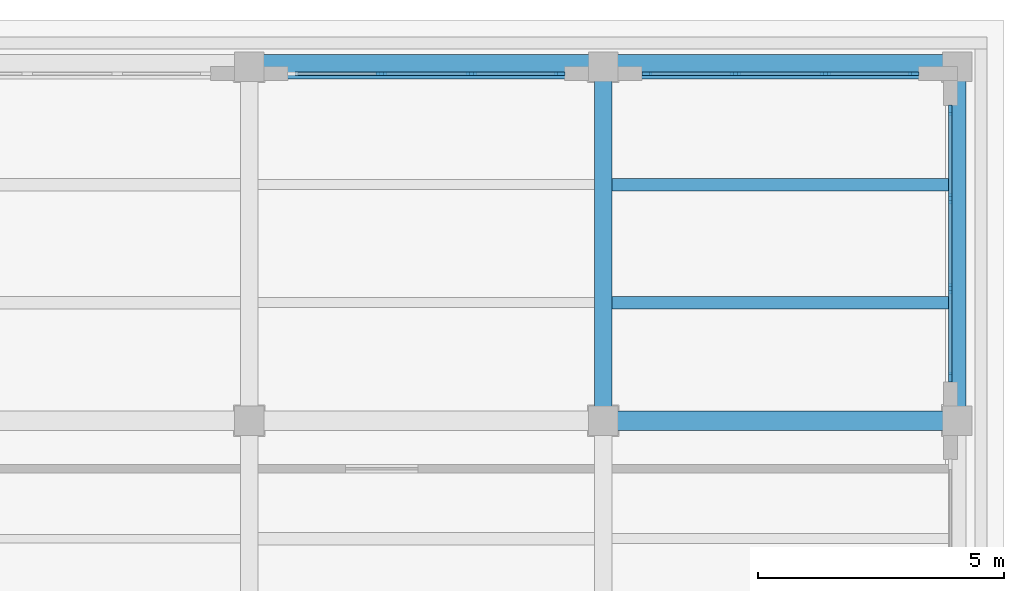
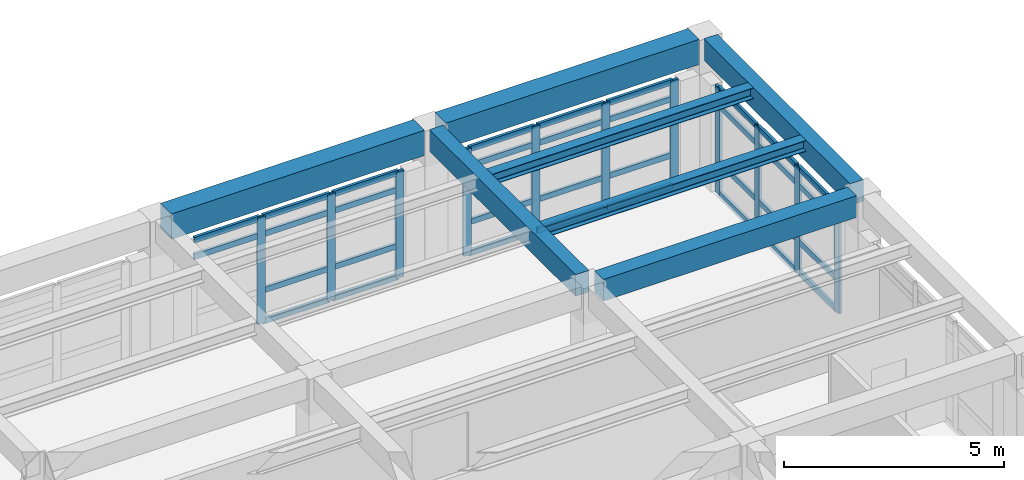
# One storey, part 10 of 19: 45 members, 7 beams, 3 elements without a shape of their own.
"""IFC4 building model written with IfcOpenShell, lengths in metres."""

from ifc_helpers import new_model, si_unit, direction, frame, origin, origin_2d, place, context, subcontext, project, spatial, rectangle, i_section, extrude, material, layer, layer_set, material_profile, profile_set, type_object, element, aggregate, save


model = new_model("IFC4")

# Units and contexts
model_context = context("Model", 3, precision=1e-05, world=origin(), true_north=direction((0.0, 1.0)))
body_context = subcontext(model_context, "Body", "Model", "MODEL_VIEW")
ifc_project = project(units=[si_unit("LENGTHUNIT", "METRE"), si_unit("AREAUNIT", "SQUARE_METRE"), si_unit("VOLUMEUNIT", "CUBIC_METRE"), si_unit("PLANEANGLEUNIT", "RADIAN"), si_unit("MASSUNIT", "GRAM", prefix="KILO")], contexts=[model_context])

# Site, building, storey
site_placement = place(None, origin())
site = spatial("IfcSite", under=ifc_project, at=site_placement, CompositionType="ELEMENT")
building_placement = place(site_placement, origin())
building = spatial("IfcBuilding", under=site, at=building_placement, Name="Solenvale Faculty of Natural Sciences", CompositionType="ELEMENT")
storey_placement = place(building_placement, frame((0.0, 0.0, 27.0)))
storey = spatial("IfcBuildingStorey", under=building, at=storey_placement, Name="L06", CompositionType="ELEMENT", Elevation=27.0)

# Beams
ifc_material_1 = material(Name="Concrete 40 MPa", Category="concrete")
ifc_material_profile_1 = material_profile(ifc_material_1, rectangle(XDim=0.35009765625, YDim=0.60009765625, at=origin_2d()), Name="RC-BM-350x600")
ifc_profile_set_1 = profile_set([ifc_material_profile_1], Name="Concrete 40 MPa")
beam_type_1 = type_object("IfcBeamType", Name="BM-RC-350x600", PredefinedType="BEAM", material=ifc_profile_set_1)
for number, where, z_axis, x_axis, name in (
    (1, (144.0, 108.280029296875, 3.6201171875), (0.0, 1.0, 0.0), (-1.0, 0.0, 0.0), "L06 Y-Girder X144.0 (108.0..115.2)"),
    (2, (151.199951171875, 108.280029296875, 3.6201171875), (0.0, 1.0, 0.0), (-1.0, 0.0, 0.0), "L06 Y-Girder X151.2 (108.0..115.2)"),
):
    element("IfcBeam", number, at=place(storey_placement, frame(where, z_axis=z_axis, x_axis=x_axis)), inside=storey, type_object=beam_type_1, Name=name, PredefinedType="BEAM", context=body_context, shape_type="SweptSolid", body=[
        extrude(rectangle(XDim=0.35009765625, YDim=0.60009765625, at=origin_2d()), origin(), (0.0, 0.0, 1.0), 6.639892578125),
    ])
ifc_material_profile_2 = material_profile(ifc_material_1, rectangle(XDim=0.39990234375, YDim=0.60009765625, at=origin_2d()), Name="RC-BM-400x600")
ifc_profile_set_2 = profile_set([ifc_material_profile_2], Name="Concrete 40 MPa")
beam_type_2 = type_object("IfcBeamType", Name="BM-RC-400x600", PredefinedType="BEAM", material=ifc_profile_set_2)
beam_placement = place(storey_placement, frame((144.280029296875, 108.0, 3.6201171875), z_axis=(1.0, 0.0, 0.0), x_axis=(0.0, 1.0, 0.0)))
element("IfcBeam", 3, at=beam_placement, inside=storey, type_object=beam_type_2, Name="L06 X-Girder Y108.0 (144.0..151.2)", PredefinedType="BEAM", context=body_context, shape_type="SweptSolid", body=[
    extrude(rectangle(XDim=0.39990234375, YDim=0.60009765625, at=origin_2d()), origin(), (0.0, 0.0, 1.0), 6.639892578125),
])
ifc_material_2 = material(Name="Precast concrete 40 MPa", Category="concrete")
ifc_material_profile_3 = material_profile(ifc_material_2, rectangle(XDim=0.5, YDim=0.699951171875, at=origin_2d()), Name="RC-BM-500x700")
ifc_profile_set_3 = profile_set([ifc_material_profile_3], Name="Precast concrete 40 MPa")
beam_type_3 = type_object("IfcBeamType", Name="BM-SPN-PRC-700", PredefinedType="SPANDREL", material=ifc_profile_set_3)
for number, where, z_axis, x_axis, name in (
    (4, (137.080078125, 115.199951171875, 3.570068359375), (1.0, 0.0, 0.0), (0.0, 1.0, 0.0), "L06 X-Girder Y115.2 (136.8..144.0)"),
    (5, (144.280029296875, 115.199951171875, 3.570068359375), (1.0, 0.0, 0.0), (0.0, 1.0, 0.0), "L06 X-Girder Y115.2 (144.0..151.2)"),
):
    element("IfcBeam", number, at=place(storey_placement, frame(where, z_axis=z_axis, x_axis=x_axis)), inside=storey, type_object=beam_type_3, Name=name, PredefinedType="SPANDREL", context=body_context, shape_type="SweptSolid", body=[
        extrude(rectangle(XDim=0.5, YDim=0.699951171875, at=origin_2d()), origin(), (0.0, 0.0, 1.0), 6.639892578125),
    ])
ifc_material_3 = material(Name="Steel S355", Category="steel")
ifc_material_profile_4 = material_profile(ifc_material_3, i_section(OverallWidth=0.25390625, OverallDepth=0.305908203125, WebThickness=0.0087890625, FlangeThickness=0.0146484375, FilletRadius=0.014892578125, at=origin_2d()), Name="W310x79")
ifc_profile_set_4 = profile_set([ifc_material_profile_4], Name="Steel S355")
beam_type_4 = type_object("IfcBeamType", Name="BM-STL-W310x79", PredefinedType="JOIST", material=ifc_profile_set_4)
for number, where, z_axis, x_axis, name in (
    (6, (144.155029296875, 110.39990234375, 3.76708984375), (1.0, 0.0, 0.0), (0.0, 1.0, 0.0), "L06 Composite Floor Joist (21,16).1"),
    (7, (144.155029296875, 112.800048828125, 3.76708984375), (1.0, 0.0, 0.0), (0.0, 1.0, 0.0), "L06 Composite Floor Joist (21,16).2"),
):
    element("IfcBeam", number, at=place(storey_placement, frame(where, z_axis=z_axis, x_axis=x_axis)), inside=storey, type_object=beam_type_4, Name=name, PredefinedType="JOIST", context=body_context, shape_type="SweptSolid", body=[
        extrude(i_section(OverallWidth=0.25390625, OverallDepth=0.305908203125, WebThickness=0.0087890625, FlangeThickness=0.0146484375, FilletRadius=0.014892578125, at=origin_2d()), origin(), (0.0, 0.0, 1.0), 6.889892578125),
    ])

# Curtain wall, members
ifc_material_4 = material(Name="Anodised bronze aluminium", Category="aluminium")
ifc_layer = layer(ifc_material_4, 0.179931640625)
ifc_layer_set = layer_set([ifc_layer], Name="Anodised bronze aluminium")
curtain_wall_type = type_object("IfcCurtainWallType", Name="CW-TWR-MOD", PredefinedType="USERDEFINED", material=ifc_layer_set)
curtain_wall_1_placement = place(storey_placement, origin())
curtain_wall_1 = element("IfcCurtainWall", 8, at=curtain_wall_1_placement, inside=storey, type_object=curtain_wall_type, Name="L06 Curtain Wall CW-L06-P1-E1-B3", ObjectType="UNITISED CURTAIN WALL", PredefinedType="USERDEFINED")
ifc_material_profile_5 = material_profile(ifc_material_4, rectangle(XDim=0.074951171875, YDim=0.2099609375, at=origin_2d()), Name="ALU-MUL-75x210")
ifc_profile_set_5 = profile_set([ifc_material_profile_5], Name="Anodised bronze aluminium")
member_type_1 = type_object("IfcMemberType", Name="CWM-ALU-75x210", PredefinedType="MULLION", material=ifc_profile_set_5)
member_1_placement = place(storey_placement, frame((151.0576171875, 108.887451171875, 0.0), z_axis=(0.0, 0.0, 1.0), x_axis=(-1.0, 0.0, 0.0)))
member_1 = element("IfcMember", 9, at=member_1_placement, type_object=member_type_1, Name="CW-04 mullion 1", PredefinedType="MULLION", context=body_context, shape_type="SweptSolid", body=[
    extrude(rectangle(XDim=0.074951171875, YDim=0.2099609375, at=origin_2d()), origin(), (0.0, 0.0, 1.0), 2.9599609375),
])
member_2_placement = place(storey_placement, frame((151.0576171875, 110.683349609375, 0.0), z_axis=(0.0, 0.0, 1.0), x_axis=(-1.0, 0.0, 0.0)))
member_2 = element("IfcMember", 10, at=member_2_placement, type_object=member_type_1, Name="CW-04 mullion 2", PredefinedType="MULLION", context=body_context, shape_type="SweptSolid", body=[
    extrude(rectangle(XDim=0.074951171875, YDim=0.2099609375, at=origin_2d()), origin(), (0.0, 0.0, 1.0), 2.9599609375),
])
member_3_placement = place(storey_placement, frame((151.0576171875, 112.5166015625, 0.0), z_axis=(0.0, 0.0, 1.0), x_axis=(-1.0, 0.0, 0.0)))
member_3 = element("IfcMember", 11, at=member_3_placement, type_object=member_type_1, Name="CW-04 mullion 3", PredefinedType="MULLION", context=body_context, shape_type="SweptSolid", body=[
    extrude(rectangle(XDim=0.074951171875, YDim=0.2099609375, at=origin_2d()), origin(), (0.0, 0.0, 1.0), 2.9599609375),
])
member_4_placement = place(storey_placement, frame((151.0576171875, 114.3125, 0.0), z_axis=(0.0, 0.0, 1.0), x_axis=(-1.0, 0.0, 0.0)))
member_4 = element("IfcMember", 12, at=member_4_placement, type_object=member_type_1, Name="CW-04 mullion 4", PredefinedType="MULLION", context=body_context, shape_type="SweptSolid", body=[
    extrude(rectangle(XDim=0.074951171875, YDim=0.2099609375, at=origin_2d()), origin(), (0.0, 0.0, 1.0), 2.9599609375),
])

curtain_wall_2_placement = place(storey_placement, origin())
curtain_wall_2 = element("IfcCurtainWall", 13, at=curtain_wall_2_placement, inside=storey, type_object=curtain_wall_type, Name="L06 Curtain Wall CW-L06-P1-E2-B1", ObjectType="UNITISED CURTAIN WALL", PredefinedType="USERDEFINED")
member_5_placement = place(storey_placement, frame((150.3125, 115.0576171875, 0.0), z_axis=(0.0, 0.0, 1.0), x_axis=(0.0, -1.0, 0.0)))
member_5 = element("IfcMember", 14, at=member_5_placement, type_object=member_type_1, Name="CW-04 mullion 1", PredefinedType="MULLION", context=body_context, shape_type="SweptSolid", body=[
    extrude(rectangle(XDim=0.074951171875, YDim=0.2099609375, at=origin_2d()), origin(), (0.0, 0.0, 1.0), 2.9599609375),
])
member_6_placement = place(storey_placement, frame((148.5166015625, 115.0576171875, 0.0), z_axis=(0.0, 0.0, 1.0), x_axis=(0.0, -1.0, 0.0)))
member_6 = element("IfcMember", 15, at=member_6_placement, type_object=member_type_1, Name="CW-04 mullion 2", PredefinedType="MULLION", context=body_context, shape_type="SweptSolid", body=[
    extrude(rectangle(XDim=0.074951171875, YDim=0.2099609375, at=origin_2d()), origin(), (0.0, 0.0, 1.0), 2.9599609375),
])
member_7_placement = place(storey_placement, frame((146.683349609375, 115.0576171875, 0.0), z_axis=(0.0, 0.0, 1.0), x_axis=(0.0, -1.0, 0.0)))
member_7 = element("IfcMember", 16, at=member_7_placement, type_object=member_type_1, Name="CW-04 mullion 3", PredefinedType="MULLION", context=body_context, shape_type="SweptSolid", body=[
    extrude(rectangle(XDim=0.074951171875, YDim=0.2099609375, at=origin_2d()), origin(), (0.0, 0.0, 1.0), 2.9599609375),
])
member_8_placement = place(storey_placement, frame((144.887451171875, 115.0576171875, 0.0), z_axis=(0.0, 0.0, 1.0), x_axis=(0.0, -1.0, 0.0)))
member_8 = element("IfcMember", 17, at=member_8_placement, type_object=member_type_1, Name="CW-04 mullion 4", PredefinedType="MULLION", context=body_context, shape_type="SweptSolid", body=[
    extrude(rectangle(XDim=0.074951171875, YDim=0.2099609375, at=origin_2d()), origin(), (0.0, 0.0, 1.0), 2.9599609375),
])

curtain_wall_3_placement = place(storey_placement, origin())
curtain_wall_3 = element("IfcCurtainWall", 18, at=curtain_wall_3_placement, inside=storey, type_object=curtain_wall_type, Name="L06 Curtain Wall CW-L06-P1-E2-B2", ObjectType="UNITISED CURTAIN WALL", PredefinedType="USERDEFINED")
member_9_placement = place(storey_placement, frame((143.112548828125, 115.0576171875, 0.0), z_axis=(0.0, 0.0, 1.0), x_axis=(0.0, -1.0, 0.0)))
member_9 = element("IfcMember", 19, at=member_9_placement, type_object=member_type_1, Name="CW-04 mullion 1", PredefinedType="MULLION", context=body_context, shape_type="SweptSolid", body=[
    extrude(rectangle(XDim=0.074951171875, YDim=0.2099609375, at=origin_2d()), origin(), (0.0, 0.0, 1.0), 2.9599609375),
])
member_10_placement = place(storey_placement, frame((141.316650390625, 115.0576171875, 0.0), z_axis=(0.0, 0.0, 1.0), x_axis=(0.0, -1.0, 0.0)))
member_10 = element("IfcMember", 20, at=member_10_placement, type_object=member_type_1, Name="CW-04 mullion 2", PredefinedType="MULLION", context=body_context, shape_type="SweptSolid", body=[
    extrude(rectangle(XDim=0.074951171875, YDim=0.2099609375, at=origin_2d()), origin(), (0.0, 0.0, 1.0), 2.9599609375),
])
member_11_placement = place(storey_placement, frame((139.4833984375, 115.0576171875, 0.0), z_axis=(0.0, 0.0, 1.0), x_axis=(0.0, -1.0, 0.0)))
member_11 = element("IfcMember", 21, at=member_11_placement, type_object=member_type_1, Name="CW-04 mullion 3", PredefinedType="MULLION", context=body_context, shape_type="SweptSolid", body=[
    extrude(rectangle(XDim=0.074951171875, YDim=0.2099609375, at=origin_2d()), origin(), (0.0, 0.0, 1.0), 2.9599609375),
])

# Member
ifc_material_profile_6 = material_profile(ifc_material_4, rectangle(XDim=0.074951171875, YDim=0.155029296875, at=origin_2d()), Name="ALU-TRN-75x155")
ifc_profile_set_6 = profile_set([ifc_material_profile_6], Name="Anodised bronze aluminium")
member_type_2 = type_object("IfcMemberType", Name="CWT-ALU-75x155", PredefinedType="USERDEFINED", material=ifc_profile_set_6)
member_12_placement = place(storey_placement, frame((151.0576171875, 108.925048828125, 0.03759765625), z_axis=(0.0, 1.0, 0.0), x_axis=(-1.0, 0.0, 0.0)))
member_12 = element("IfcMember", 22, at=member_12_placement, type_object=member_type_2, Name="CW-04 transom 1.1", ObjectType="TRANSOM", PredefinedType="USERDEFINED", context=body_context, shape_type="SweptSolid", body=[
    extrude(rectangle(XDim=0.074951171875, YDim=0.155029296875, at=origin_2d()), origin(), (0.0, 0.0, 1.0), 1.720703125),
])

member_13_placement = place(storey_placement, frame((151.0576171875, 108.925048828125, 0.89990234375), z_axis=(0.0, 1.0, 0.0), x_axis=(-1.0, 0.0, 0.0)))
member_13 = element("IfcMember", 23, at=member_13_placement, type_object=member_type_2, Name="CW-04 transom 1.2", ObjectType="TRANSOM", PredefinedType="USERDEFINED", context=body_context, shape_type="SweptSolid", body=[
    extrude(rectangle(XDim=0.074951171875, YDim=0.155029296875, at=origin_2d()), origin(), (0.0, 0.0, 1.0), 1.720703125),
])

member_14_placement = place(storey_placement, frame((151.0576171875, 108.925048828125, 2.4599609375), z_axis=(0.0, 1.0, 0.0), x_axis=(-1.0, 0.0, 0.0)))
member_14 = element("IfcMember", 24, at=member_14_placement, type_object=member_type_2, Name="CW-04 transom 1.3", ObjectType="TRANSOM", PredefinedType="USERDEFINED", context=body_context, shape_type="SweptSolid", body=[
    extrude(rectangle(XDim=0.074951171875, YDim=0.155029296875, at=origin_2d()), origin(), (0.0, 0.0, 1.0), 1.720703125),
])

member_15_placement = place(storey_placement, frame((151.0576171875, 108.925048828125, 2.922607421875), z_axis=(0.0, 1.0, 0.0), x_axis=(-1.0, 0.0, 0.0)))
member_15 = element("IfcMember", 25, at=member_15_placement, type_object=member_type_2, Name="CW-04 transom 1.4", ObjectType="TRANSOM", PredefinedType="USERDEFINED", context=body_context, shape_type="SweptSolid", body=[
    extrude(rectangle(XDim=0.074951171875, YDim=0.155029296875, at=origin_2d()), origin(), (0.0, 0.0, 1.0), 1.720703125),
])

member_16_placement = place(storey_placement, frame((151.0576171875, 110.720947265625, 0.03759765625), z_axis=(0.0, 1.0, 0.0), x_axis=(-1.0, 0.0, 0.0)))
member_16 = element("IfcMember", 26, at=member_16_placement, type_object=member_type_2, Name="CW-04 transom 2.1", ObjectType="TRANSOM", PredefinedType="USERDEFINED", context=body_context, shape_type="SweptSolid", body=[
    extrude(rectangle(XDim=0.074951171875, YDim=0.155029296875, at=origin_2d()), origin(), (0.0, 0.0, 1.0), 1.75830078125),
])

member_17_placement = place(storey_placement, frame((151.0576171875, 110.720947265625, 0.89990234375), z_axis=(0.0, 1.0, 0.0), x_axis=(-1.0, 0.0, 0.0)))
member_17 = element("IfcMember", 27, at=member_17_placement, type_object=member_type_2, Name="CW-04 transom 2.2", ObjectType="TRANSOM", PredefinedType="USERDEFINED", context=body_context, shape_type="SweptSolid", body=[
    extrude(rectangle(XDim=0.074951171875, YDim=0.155029296875, at=origin_2d()), origin(), (0.0, 0.0, 1.0), 1.75830078125),
])

member_18_placement = place(storey_placement, frame((151.0576171875, 110.720947265625, 2.4599609375), z_axis=(0.0, 1.0, 0.0), x_axis=(-1.0, 0.0, 0.0)))
member_18 = element("IfcMember", 28, at=member_18_placement, type_object=member_type_2, Name="CW-04 transom 2.3", ObjectType="TRANSOM", PredefinedType="USERDEFINED", context=body_context, shape_type="SweptSolid", body=[
    extrude(rectangle(XDim=0.074951171875, YDim=0.155029296875, at=origin_2d()), origin(), (0.0, 0.0, 1.0), 1.75830078125),
])

member_19_placement = place(storey_placement, frame((151.0576171875, 110.720947265625, 2.922607421875), z_axis=(0.0, 1.0, 0.0), x_axis=(-1.0, 0.0, 0.0)))
member_19 = element("IfcMember", 29, at=member_19_placement, type_object=member_type_2, Name="CW-04 transom 2.4", ObjectType="TRANSOM", PredefinedType="USERDEFINED", context=body_context, shape_type="SweptSolid", body=[
    extrude(rectangle(XDim=0.074951171875, YDim=0.155029296875, at=origin_2d()), origin(), (0.0, 0.0, 1.0), 1.75830078125),
])

member_20_placement = place(storey_placement, frame((151.0576171875, 112.55419921875, 0.03759765625), z_axis=(0.0, 1.0, 0.0), x_axis=(-1.0, 0.0, 0.0)))
member_20 = element("IfcMember", 30, at=member_20_placement, type_object=member_type_2, Name="CW-04 transom 3.1", ObjectType="TRANSOM", PredefinedType="USERDEFINED", context=body_context, shape_type="SweptSolid", body=[
    extrude(rectangle(XDim=0.074951171875, YDim=0.155029296875, at=origin_2d()), origin(), (0.0, 0.0, 1.0), 1.720703125),
])

member_21_placement = place(storey_placement, frame((151.0576171875, 112.55419921875, 0.89990234375), z_axis=(0.0, 1.0, 0.0), x_axis=(-1.0, 0.0, 0.0)))
member_21 = element("IfcMember", 31, at=member_21_placement, type_object=member_type_2, Name="CW-04 transom 3.2", ObjectType="TRANSOM", PredefinedType="USERDEFINED", context=body_context, shape_type="SweptSolid", body=[
    extrude(rectangle(XDim=0.074951171875, YDim=0.155029296875, at=origin_2d()), origin(), (0.0, 0.0, 1.0), 1.720703125),
])

member_22_placement = place(storey_placement, frame((151.0576171875, 112.55419921875, 2.4599609375), z_axis=(0.0, 1.0, 0.0), x_axis=(-1.0, 0.0, 0.0)))
member_22 = element("IfcMember", 32, at=member_22_placement, type_object=member_type_2, Name="CW-04 transom 3.3", ObjectType="TRANSOM", PredefinedType="USERDEFINED", context=body_context, shape_type="SweptSolid", body=[
    extrude(rectangle(XDim=0.074951171875, YDim=0.155029296875, at=origin_2d()), origin(), (0.0, 0.0, 1.0), 1.720703125),
])

member_23_placement = place(storey_placement, frame((151.0576171875, 112.55419921875, 2.922607421875), z_axis=(0.0, 1.0, 0.0), x_axis=(-1.0, 0.0, 0.0)))
member_23 = element("IfcMember", 33, at=member_23_placement, type_object=member_type_2, Name="CW-04 transom 3.4", ObjectType="TRANSOM", PredefinedType="USERDEFINED", context=body_context, shape_type="SweptSolid", body=[
    extrude(rectangle(XDim=0.074951171875, YDim=0.155029296875, at=origin_2d()), origin(), (0.0, 0.0, 1.0), 1.720703125),
])

aggregate(curtain_wall_1, [member_1, member_2, member_3, member_4, member_12, member_13, member_14, member_15, member_16, member_17, member_18, member_19, member_20, member_21, member_22, member_23])

member_24_placement = place(storey_placement, frame((150.27490234375, 115.0576171875, 0.03759765625), z_axis=(-1.0, 0.0, 0.0), x_axis=(0.0, -1.0, 0.0)))
member_24 = element("IfcMember", 34, at=member_24_placement, type_object=member_type_2, Name="CW-04 transom 1.1", ObjectType="TRANSOM", PredefinedType="USERDEFINED", context=body_context, shape_type="SweptSolid", body=[
    extrude(rectangle(XDim=0.074951171875, YDim=0.155029296875, at=origin_2d()), origin(), (0.0, 0.0, 1.0), 1.720703125),
])

member_25_placement = place(storey_placement, frame((150.27490234375, 115.0576171875, 0.89990234375), z_axis=(-1.0, 0.0, 0.0), x_axis=(0.0, -1.0, 0.0)))
member_25 = element("IfcMember", 35, at=member_25_placement, type_object=member_type_2, Name="CW-04 transom 1.2", ObjectType="TRANSOM", PredefinedType="USERDEFINED", context=body_context, shape_type="SweptSolid", body=[
    extrude(rectangle(XDim=0.074951171875, YDim=0.155029296875, at=origin_2d()), origin(), (0.0, 0.0, 1.0), 1.720703125),
])

member_26_placement = place(storey_placement, frame((150.27490234375, 115.0576171875, 2.4599609375), z_axis=(-1.0, 0.0, 0.0), x_axis=(0.0, -1.0, 0.0)))
member_26 = element("IfcMember", 36, at=member_26_placement, type_object=member_type_2, Name="CW-04 transom 1.3", ObjectType="TRANSOM", PredefinedType="USERDEFINED", context=body_context, shape_type="SweptSolid", body=[
    extrude(rectangle(XDim=0.074951171875, YDim=0.155029296875, at=origin_2d()), origin(), (0.0, 0.0, 1.0), 1.720703125),
])

member_27_placement = place(storey_placement, frame((150.27490234375, 115.0576171875, 2.922607421875), z_axis=(-1.0, 0.0, 0.0), x_axis=(0.0, -1.0, 0.0)))
member_27 = element("IfcMember", 37, at=member_27_placement, type_object=member_type_2, Name="CW-04 transom 1.4", ObjectType="TRANSOM", PredefinedType="USERDEFINED", context=body_context, shape_type="SweptSolid", body=[
    extrude(rectangle(XDim=0.074951171875, YDim=0.155029296875, at=origin_2d()), origin(), (0.0, 0.0, 1.0), 1.720703125),
])

member_28_placement = place(storey_placement, frame((148.479248046875, 115.0576171875, 0.03759765625), z_axis=(-1.0, 0.0, 0.0), x_axis=(0.0, -1.0, 0.0)))
member_28 = element("IfcMember", 38, at=member_28_placement, type_object=member_type_2, Name="CW-04 transom 2.1", ObjectType="TRANSOM", PredefinedType="USERDEFINED", context=body_context, shape_type="SweptSolid", body=[
    extrude(rectangle(XDim=0.074951171875, YDim=0.155029296875, at=origin_2d()), origin(), (0.0, 0.0, 1.0), 1.75830078125),
])

member_29_placement = place(storey_placement, frame((148.479248046875, 115.0576171875, 0.89990234375), z_axis=(-1.0, 0.0, 0.0), x_axis=(0.0, -1.0, 0.0)))
member_29 = element("IfcMember", 39, at=member_29_placement, type_object=member_type_2, Name="CW-04 transom 2.2", ObjectType="TRANSOM", PredefinedType="USERDEFINED", context=body_context, shape_type="SweptSolid", body=[
    extrude(rectangle(XDim=0.074951171875, YDim=0.155029296875, at=origin_2d()), origin(), (0.0, 0.0, 1.0), 1.75830078125),
])

member_30_placement = place(storey_placement, frame((148.479248046875, 115.0576171875, 2.4599609375), z_axis=(-1.0, 0.0, 0.0), x_axis=(0.0, -1.0, 0.0)))
member_30 = element("IfcMember", 40, at=member_30_placement, type_object=member_type_2, Name="CW-04 transom 2.3", ObjectType="TRANSOM", PredefinedType="USERDEFINED", context=body_context, shape_type="SweptSolid", body=[
    extrude(rectangle(XDim=0.074951171875, YDim=0.155029296875, at=origin_2d()), origin(), (0.0, 0.0, 1.0), 1.75830078125),
])

member_31_placement = place(storey_placement, frame((148.479248046875, 115.0576171875, 2.922607421875), z_axis=(-1.0, 0.0, 0.0), x_axis=(0.0, -1.0, 0.0)))
member_31 = element("IfcMember", 41, at=member_31_placement, type_object=member_type_2, Name="CW-04 transom 2.4", ObjectType="TRANSOM", PredefinedType="USERDEFINED", context=body_context, shape_type="SweptSolid", body=[
    extrude(rectangle(XDim=0.074951171875, YDim=0.155029296875, at=origin_2d()), origin(), (0.0, 0.0, 1.0), 1.75830078125),
])

member_32_placement = place(storey_placement, frame((146.645751953125, 115.0576171875, 0.03759765625), z_axis=(-1.0, 0.0, 0.0), x_axis=(0.0, -1.0, 0.0)))
member_32 = element("IfcMember", 42, at=member_32_placement, type_object=member_type_2, Name="CW-04 transom 3.1", ObjectType="TRANSOM", PredefinedType="USERDEFINED", context=body_context, shape_type="SweptSolid", body=[
    extrude(rectangle(XDim=0.074951171875, YDim=0.155029296875, at=origin_2d()), origin(), (0.0, 0.0, 1.0), 1.720703125),
])

member_33_placement = place(storey_placement, frame((146.645751953125, 115.0576171875, 0.89990234375), z_axis=(-1.0, 0.0, 0.0), x_axis=(0.0, -1.0, 0.0)))
member_33 = element("IfcMember", 43, at=member_33_placement, type_object=member_type_2, Name="CW-04 transom 3.2", ObjectType="TRANSOM", PredefinedType="USERDEFINED", context=body_context, shape_type="SweptSolid", body=[
    extrude(rectangle(XDim=0.074951171875, YDim=0.155029296875, at=origin_2d()), origin(), (0.0, 0.0, 1.0), 1.720703125),
])

member_34_placement = place(storey_placement, frame((146.645751953125, 115.0576171875, 2.4599609375), z_axis=(-1.0, 0.0, 0.0), x_axis=(0.0, -1.0, 0.0)))
member_34 = element("IfcMember", 44, at=member_34_placement, type_object=member_type_2, Name="CW-04 transom 3.3", ObjectType="TRANSOM", PredefinedType="USERDEFINED", context=body_context, shape_type="SweptSolid", body=[
    extrude(rectangle(XDim=0.074951171875, YDim=0.155029296875, at=origin_2d()), origin(), (0.0, 0.0, 1.0), 1.720703125),
])

member_35_placement = place(storey_placement, frame((146.645751953125, 115.0576171875, 2.922607421875), z_axis=(-1.0, 0.0, 0.0), x_axis=(0.0, -1.0, 0.0)))
member_35 = element("IfcMember", 45, at=member_35_placement, type_object=member_type_2, Name="CW-04 transom 3.4", ObjectType="TRANSOM", PredefinedType="USERDEFINED", context=body_context, shape_type="SweptSolid", body=[
    extrude(rectangle(XDim=0.074951171875, YDim=0.155029296875, at=origin_2d()), origin(), (0.0, 0.0, 1.0), 1.720703125),
])

aggregate(curtain_wall_2, [member_5, member_6, member_7, member_8, member_24, member_25, member_26, member_27, member_28, member_29, member_30, member_31, member_32, member_33, member_34, member_35])

member_36_placement = place(storey_placement, frame((143.074951171875, 115.0576171875, 0.03759765625), z_axis=(-1.0, 0.0, 0.0), x_axis=(0.0, -1.0, 0.0)))
member_36 = element("IfcMember", 46, at=member_36_placement, type_object=member_type_2, Name="CW-04 transom 1.1", ObjectType="TRANSOM", PredefinedType="USERDEFINED", context=body_context, shape_type="SweptSolid", body=[
    extrude(rectangle(XDim=0.074951171875, YDim=0.155029296875, at=origin_2d()), origin(), (0.0, 0.0, 1.0), 1.720703125),
])

member_37_placement = place(storey_placement, frame((143.074951171875, 115.0576171875, 0.89990234375), z_axis=(-1.0, 0.0, 0.0), x_axis=(0.0, -1.0, 0.0)))
member_37 = element("IfcMember", 47, at=member_37_placement, type_object=member_type_2, Name="CW-04 transom 1.2", ObjectType="TRANSOM", PredefinedType="USERDEFINED", context=body_context, shape_type="SweptSolid", body=[
    extrude(rectangle(XDim=0.074951171875, YDim=0.155029296875, at=origin_2d()), origin(), (0.0, 0.0, 1.0), 1.720703125),
])

member_38_placement = place(storey_placement, frame((143.074951171875, 115.0576171875, 2.4599609375), z_axis=(-1.0, 0.0, 0.0), x_axis=(0.0, -1.0, 0.0)))
member_38 = element("IfcMember", 48, at=member_38_placement, type_object=member_type_2, Name="CW-04 transom 1.3", ObjectType="TRANSOM", PredefinedType="USERDEFINED", context=body_context, shape_type="SweptSolid", body=[
    extrude(rectangle(XDim=0.074951171875, YDim=0.155029296875, at=origin_2d()), origin(), (0.0, 0.0, 1.0), 1.720703125),
])

member_39_placement = place(storey_placement, frame((143.074951171875, 115.0576171875, 2.922607421875), z_axis=(-1.0, 0.0, 0.0), x_axis=(0.0, -1.0, 0.0)))
member_39 = element("IfcMember", 49, at=member_39_placement, type_object=member_type_2, Name="CW-04 transom 1.4", ObjectType="TRANSOM", PredefinedType="USERDEFINED", context=body_context, shape_type="SweptSolid", body=[
    extrude(rectangle(XDim=0.074951171875, YDim=0.155029296875, at=origin_2d()), origin(), (0.0, 0.0, 1.0), 1.720703125),
])

member_40_placement = place(storey_placement, frame((141.279052734375, 115.0576171875, 0.03759765625), z_axis=(-1.0, 0.0, 0.0), x_axis=(0.0, -1.0, 0.0)))
member_40 = element("IfcMember", 50, at=member_40_placement, type_object=member_type_2, Name="CW-04 transom 2.1", ObjectType="TRANSOM", PredefinedType="USERDEFINED", context=body_context, shape_type="SweptSolid", body=[
    extrude(rectangle(XDim=0.074951171875, YDim=0.155029296875, at=origin_2d()), origin(), (0.0, 0.0, 1.0), 1.75830078125),
])

member_41_placement = place(storey_placement, frame((141.279052734375, 115.0576171875, 0.89990234375), z_axis=(-1.0, 0.0, 0.0), x_axis=(0.0, -1.0, 0.0)))
member_41 = element("IfcMember", 51, at=member_41_placement, type_object=member_type_2, Name="CW-04 transom 2.2", ObjectType="TRANSOM", PredefinedType="USERDEFINED", context=body_context, shape_type="SweptSolid", body=[
    extrude(rectangle(XDim=0.074951171875, YDim=0.155029296875, at=origin_2d()), origin(), (0.0, 0.0, 1.0), 1.75830078125),
])

member_42_placement = place(storey_placement, frame((141.279052734375, 115.0576171875, 2.4599609375), z_axis=(-1.0, 0.0, 0.0), x_axis=(0.0, -1.0, 0.0)))
member_42 = element("IfcMember", 52, at=member_42_placement, type_object=member_type_2, Name="CW-04 transom 2.3", ObjectType="TRANSOM", PredefinedType="USERDEFINED", context=body_context, shape_type="SweptSolid", body=[
    extrude(rectangle(XDim=0.074951171875, YDim=0.155029296875, at=origin_2d()), origin(), (0.0, 0.0, 1.0), 1.75830078125),
])

member_43_placement = place(storey_placement, frame((141.279052734375, 115.0576171875, 2.922607421875), z_axis=(-1.0, 0.0, 0.0), x_axis=(0.0, -1.0, 0.0)))
member_43 = element("IfcMember", 53, at=member_43_placement, type_object=member_type_2, Name="CW-04 transom 2.4", ObjectType="TRANSOM", PredefinedType="USERDEFINED", context=body_context, shape_type="SweptSolid", body=[
    extrude(rectangle(XDim=0.074951171875, YDim=0.155029296875, at=origin_2d()), origin(), (0.0, 0.0, 1.0), 1.75830078125),
])

member_44_placement = place(storey_placement, frame((139.44580078125, 115.0576171875, 2.4599609375), z_axis=(-1.0, 0.0, 0.0), x_axis=(0.0, -1.0, 0.0)))
member_44 = element("IfcMember", 54, at=member_44_placement, type_object=member_type_2, Name="CW-04 transom 3.3", ObjectType="TRANSOM", PredefinedType="USERDEFINED", context=body_context, shape_type="SweptSolid", body=[
    extrude(rectangle(XDim=0.074951171875, YDim=0.155029296875, at=origin_2d()), origin(), (0.0, 0.0, 1.0), 1.720703125),
])

member_45_placement = place(storey_placement, frame((139.44580078125, 115.0576171875, 2.922607421875), z_axis=(-1.0, 0.0, 0.0), x_axis=(0.0, -1.0, 0.0)))
member_45 = element("IfcMember", 55, at=member_45_placement, type_object=member_type_2, Name="CW-04 transom 3.4", ObjectType="TRANSOM", PredefinedType="USERDEFINED", context=body_context, shape_type="SweptSolid", body=[
    extrude(rectangle(XDim=0.074951171875, YDim=0.155029296875, at=origin_2d()), origin(), (0.0, 0.0, 1.0), 1.720703125),
])

aggregate(curtain_wall_3, [member_9, member_10, member_11, member_36, member_37, member_38, member_39, member_40, member_41, member_42, member_43, member_44, member_45])

save(model, "model.ifc")
